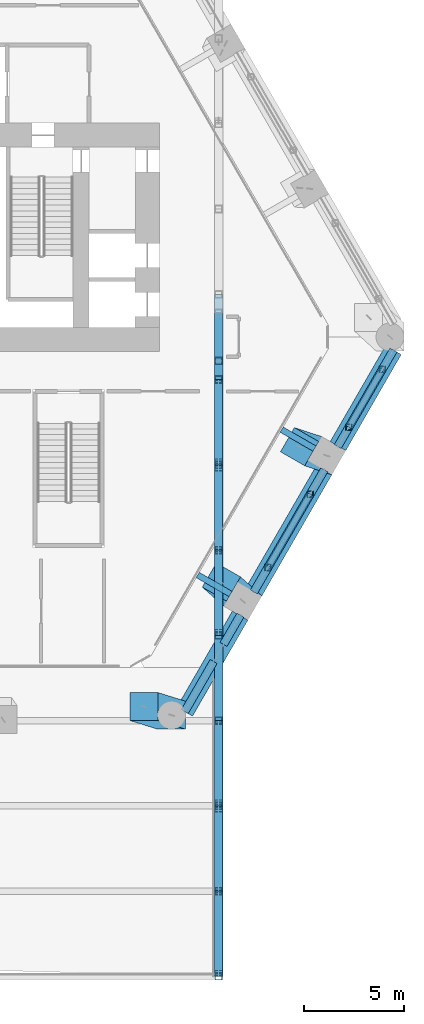
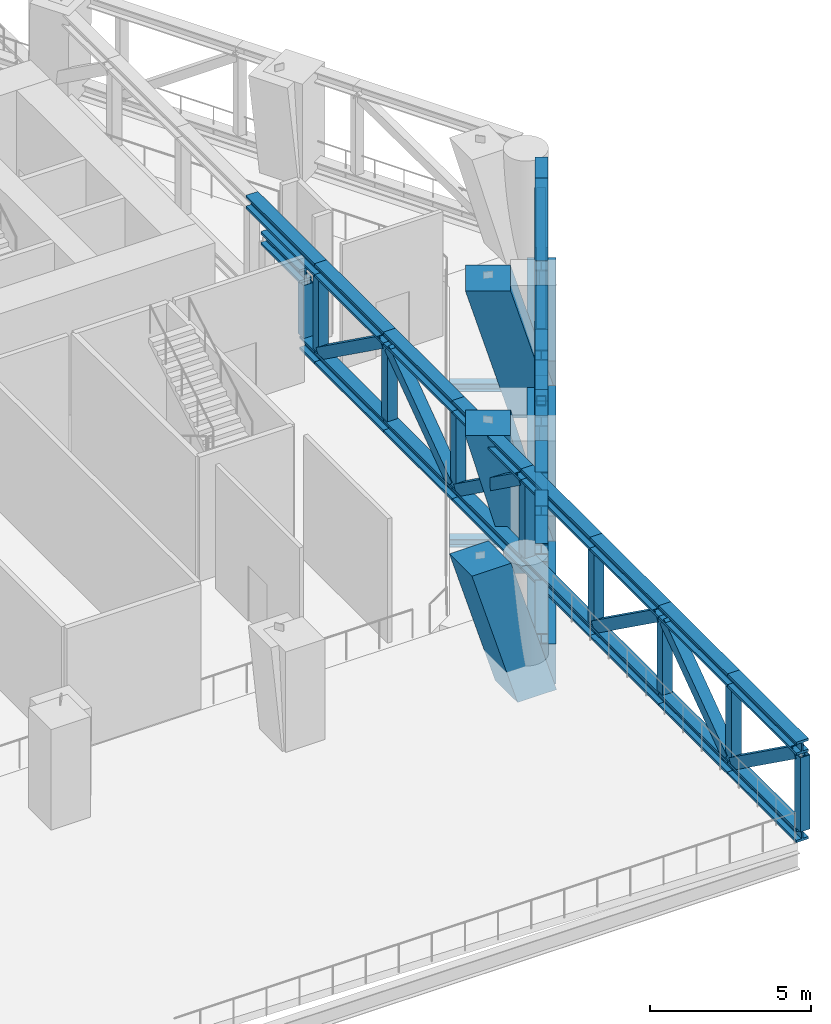
# One storey, part 4 of 20: 53 members, 5 beams.
"""IFC4 building model written with IfcOpenShell, lengths in metres."""

from ifc_helpers import new_model, si_unit, direction, frame, origin, origin_2d, place, context, subcontext, project, spatial, rectangle, hollow_rectangle, i_section, extrude, material, material_profile, profile_set, type_object, element, save


model = new_model("IFC4")

# Units and contexts
model_context = context("Model", 3, precision=1e-05, world=origin(), true_north=direction((0.0, 1.0)))
body_context = subcontext(model_context, "Body", "Model", "MODEL_VIEW")
ifc_project = project(units=[si_unit("LENGTHUNIT", "METRE"), si_unit("AREAUNIT", "SQUARE_METRE"), si_unit("VOLUMEUNIT", "CUBIC_METRE"), si_unit("PLANEANGLEUNIT", "RADIAN"), si_unit("MASSUNIT", "GRAM", prefix="KILO")], contexts=[model_context])

# Site, building, storey
site_placement = place(None, origin())
site = spatial("IfcSite", under=ifc_project, at=site_placement, CompositionType="ELEMENT")
building_placement = place(site_placement, origin())
building = spatial("IfcBuilding", under=site, at=building_placement, Name="Ostrander Bayou Hotel Tower", CompositionType="ELEMENT")
storey_placement = place(building_placement, frame((0.0, 0.0, 80.5)))
storey = spatial("IfcBuildingStorey", under=building, at=storey_placement, Name="L20", CompositionType="ELEMENT", Elevation=80.5)

# Members
ifc_material_1 = material(Name="Steel ASTM A992", Category="steel")
ifc_material_profile_1 = material_profile(ifc_material_1, i_section(OverallWidth=0.403564453125, OverallDepth=0.407470703125, WebThickness=0.027099609375, FlangeThickness=0.043701171875, at=origin_2d()))
ifc_profile_set_1 = profile_set([ifc_material_profile_1], Name="Steel ASTM A992")
member_type_1 = type_object("IfcMemberType", Name="BT1 belt truss chord W14x233", PredefinedType="CHORD", material=ifc_profile_set_1)
member_1_placement = place(storey_placement, frame((13.272216796875, -19.712158203125, 0.20361328125), z_axis=(0.499968328965, 0.866043688293, 0.0), x_axis=(-0.866043688293, 0.499968328965, 0.0)))
element("IfcMember", 1, at=member_1_placement, inside=storey, type_object=member_type_1, Name="BT1 L20 SE-1B1", PredefinedType="CHORD", context=body_context, shape_type="SweptSolid", body=[
    extrude(i_section(OverallWidth=0.403564453125, OverallDepth=0.407470703125, WebThickness=0.027099609375, FlangeThickness=0.043701171875, at=origin_2d()), origin(), (0.0, 0.0, 1.0), 2.893798828125),
])
member_2_placement = place(storey_placement, frame((15.2109375, -16.353759765625, 0.20361328125), z_axis=(0.500034746016, 0.866005342234, 0.0), x_axis=(-0.866005342234, 0.500034746016, 0.0)))
element("IfcMember", 2, at=member_2_placement, inside=storey, type_object=member_type_1, Name="BT1 L20 SE-1B2", PredefinedType="CHORD", context=body_context, shape_type="SweptSolid", body=[
    extrude(i_section(OverallWidth=0.403564453125, OverallDepth=0.407470703125, WebThickness=0.027099609375, FlangeThickness=0.043701171875, at=origin_2d()), origin(), (0.0, 0.0, 1.0), 1.69189453125),
])
member_3_placement = place(storey_placement, frame((13.272216796875, -19.712158203125, 3.59619140625), z_axis=(0.499968328965, 0.866043688293, 0.0), x_axis=(-0.866043688293, 0.499968328965, 0.0)))
element("IfcMember", 3, at=member_3_placement, inside=storey, type_object=member_type_1, Name="BT1 L20 SE-1T1", PredefinedType="CHORD", context=body_context, shape_type="SweptSolid", body=[
    extrude(i_section(OverallWidth=0.403564453125, OverallDepth=0.407470703125, WebThickness=0.027099609375, FlangeThickness=0.043701171875, at=origin_2d()), origin(), (0.0, 0.0, 1.0), 2.893798828125),
])
member_4_placement = place(storey_placement, frame((15.2109375, -16.353759765625, 3.59619140625), z_axis=(0.500034746016, 0.866005342234, 0.0), x_axis=(-0.866005342234, 0.500034746016, 0.0)))
element("IfcMember", 4, at=member_4_placement, inside=storey, type_object=member_type_1, Name="BT1 L20 SE-1T2", PredefinedType="CHORD", context=body_context, shape_type="SweptSolid", body=[
    extrude(i_section(OverallWidth=0.403564453125, OverallDepth=0.407470703125, WebThickness=0.027099609375, FlangeThickness=0.043701171875, at=origin_2d()), origin(), (0.0, 0.0, 1.0), 1.69189453125),
])
member_5_placement = place(storey_placement, frame((16.726806640625, -13.72802734375, 0.20361328125), z_axis=(0.500025918537, 0.866010439193, 0.0), x_axis=(-0.866010439193, 0.500025918537, 0.0)))
element("IfcMember", 5, at=member_5_placement, inside=storey, type_object=member_type_1, Name="BT1 L20 SE-2B1", PredefinedType="CHORD", context=body_context, shape_type="SweptSolid", body=[
    extrude(i_section(OverallWidth=0.403564453125, OverallDepth=0.407470703125, WebThickness=0.027099609375, FlangeThickness=0.043701171875, at=origin_2d()), origin(), (0.0, 0.0, 1.0), 5.640869140625),
])
member_6_placement = place(storey_placement, frame((19.54736328125, -8.843017578125, 0.20361328125), z_axis=(0.499882334327, 0.866093327435, 0.0), x_axis=(-0.866093327435, 0.499882334327, 0.0)))
element("IfcMember", 6, at=member_6_placement, inside=storey, type_object=member_type_1, Name="BT1 L20 SE-2B2", PredefinedType="CHORD", context=body_context, shape_type="SweptSolid", body=[
    extrude(i_section(OverallWidth=0.403564453125, OverallDepth=0.407470703125, WebThickness=0.027099609375, FlangeThickness=0.043701171875, at=origin_2d()), origin(), (0.0, 0.0, 1.0), 1.409912109375),
])
member_7_placement = place(storey_placement, frame((16.726806640625, -13.72802734375, 3.59619140625), z_axis=(0.500012199891, 0.86601836006, 0.0), x_axis=(-0.86601836006, 0.500012199891, 0.0)))
element("IfcMember", 7, at=member_7_placement, inside=storey, type_object=member_type_1, Name="BT1 L20 SE-2T1", PredefinedType="CHORD", context=body_context, shape_type="SweptSolid", body=[
    extrude(i_section(OverallWidth=0.403564453125, OverallDepth=0.407470703125, WebThickness=0.027099609375, FlangeThickness=0.043701171875, at=origin_2d()), origin(), (0.0, 0.0, 1.0), 1.41015625),
])
member_8_placement = place(storey_placement, frame((17.431884765625, -12.5068359375, 3.59619140625), z_axis=(0.499993457821, 0.866029180881, 0.0), x_axis=(-0.866029180881, 0.499993457821, 0.0)))
element("IfcMember", 8, at=member_8_placement, inside=storey, type_object=member_type_1, Name="BT1 L20 SE-2T2", PredefinedType="CHORD", context=body_context, shape_type="SweptSolid", body=[
    extrude(i_section(OverallWidth=0.403564453125, OverallDepth=0.407470703125, WebThickness=0.027099609375, FlangeThickness=0.043701171875, at=origin_2d()), origin(), (0.0, 0.0, 1.0), 5.640625),
])
member_9_placement = place(storey_placement, frame((20.92236328125, -6.46142578125, 0.20361328125), z_axis=(0.499886869675, 0.866090709757, 0.0), x_axis=(-0.866090709757, 0.499886869675, 0.0)))
element("IfcMember", 9, at=member_9_placement, inside=storey, type_object=member_type_1, Name="BT1 L20 SE-3B1", PredefinedType="CHORD", context=body_context, shape_type="SweptSolid", body=[
    extrude(i_section(OverallWidth=0.403564453125, OverallDepth=0.407470703125, WebThickness=0.027099609375, FlangeThickness=0.043701171875, at=origin_2d()), origin(), (0.0, 0.0, 1.0), 1.114013671875),
])
for number, where, z_axis, x_axis, name in (
    (10, (21.479248046875, -5.49658203125, 0.20361328125), (0.500040230979, 0.866002175172, 0.0), (-0.866002175172, 0.500040230979, 0.0), "BT1 L20 SE-3B2"),
    (11, (20.92236328125, -6.46142578125, 3.59619140625), (0.500016504612, 0.866015874633, 0.0), (-0.866015874633, 0.500016504612, 0.0), "BT1 L20 SE-3T1"),
):
    element("IfcMember", number, at=place(storey_placement, frame(where, z_axis=z_axis, x_axis=x_axis)), inside=storey, type_object=member_type_1, Name=name, PredefinedType="CHORD", context=body_context, shape_type="SweptSolid", body=[
        extrude(i_section(OverallWidth=0.403564453125, OverallDepth=0.407470703125, WebThickness=0.027099609375, FlangeThickness=0.043701171875, at=origin_2d()), origin(), (0.0, 0.0, 1.0), 4.455810546875),
    ])
member_10_placement = place(storey_placement, frame((23.150390625, -2.6025390625, 3.59619140625), z_axis=(0.499981766188, 0.866035930824, 0.0), x_axis=(-0.866035930824, 0.499981766188, 0.0)))
element("IfcMember", 12, at=member_10_placement, inside=storey, type_object=member_type_1, Name="BT1 L20 SE-3T2", PredefinedType="CHORD", context=body_context, shape_type="SweptSolid", body=[
    extrude(i_section(OverallWidth=0.403564453125, OverallDepth=0.407470703125, WebThickness=0.027099609375, FlangeThickness=0.043701171875, at=origin_2d()), origin(), (0.0, 0.0, 1.0), 1.11376953125),
])
ifc_material_2 = material(Name="Steel ASTM A572 Gr 50", Category="steel")
ifc_material_profile_2 = material_profile(ifc_material_2, hollow_rectangle(XDim=0.3046875, YDim=0.3046875, WallThickness=0.017822265625, at=origin_2d()))
ifc_profile_set_2 = profile_set([ifc_material_profile_2], Name="Steel ASTM A572 Gr 50")
member_type_2 = type_object("IfcMemberType", Name="BT2 belt truss diagonal box 12 x 12 x 3/4", PredefinedType="BRACE", material=ifc_profile_set_2)
member_11_placement = place(storey_placement, frame((19.54736328125, -8.843017578125, 0.407470703125), z_axis=(-0.408566541898, -0.707600472506, 0.5765196893), x_axis=(0.866007799064, -0.50003049103, 0.0)))
element("IfcMember", 13, at=member_11_placement, inside=storey, type_object=member_type_2, Name="BT2 L20 SE-2D", PredefinedType="BRACE", context=body_context, shape_type="SweptSolid", body=[
    extrude(hollow_rectangle(XDim=0.3046875, YDim=0.3046875, WallThickness=0.017822265625, at=origin_2d()), origin(), (0.0, 0.0, 1.0), 5.177734375),
])
member_12_placement = place(storey_placement, frame((21.479248046875, -5.49658203125, 0.407470703125), z_axis=(0.372942367432, 0.645852275169, 0.666174773789), x_axis=(-0.865990923945, 0.500059716079, 0.0)))
element("IfcMember", 14, at=member_12_placement, inside=storey, type_object=member_type_2, Name="BT2 L20 SE-3D", PredefinedType="BRACE", context=body_context, shape_type="SweptSolid", body=[
    extrude(hollow_rectangle(XDim=0.3046875, YDim=0.3046875, WallThickness=0.017822265625, at=origin_2d()), origin(), (0.0, 0.0, 1.0), 4.48095703125),
])
ifc_material_3 = material(Name="Steel ASTM A500 Gr C", Category="steel")
ifc_material_profile_3 = material_profile(ifc_material_3, hollow_rectangle(XDim=0.3046875, YDim=0.3046875, WallThickness=0.0146484375, at=origin_2d()))
ifc_profile_set_3 = profile_set([ifc_material_profile_3], Name="Steel ASTM A500 Gr C")
member_type_3 = type_object("IfcMemberType", Name="BT7 belt truss vertical HSS12x12x5/8", PredefinedType="POST", material=ifc_profile_set_3)
for number, where, z_axis, x_axis, name in (
    (15, (17.431884765625, -12.5068359375, 0.407470703125), (0.0, 0.0, 1.0), (1.0, 0.0, 0.0), "BT7 L20 SE-2V1"),
    (16, (19.54736328125, -8.843017578125, 0.407470703125), (0.0, 0.0, 1.0), (1.0, 0.0, 0.0), "BT7 L20 SE-2V2"),
    (17, (21.479248046875, -5.49658203125, 0.407470703125), (0.0, 0.0, 1.0), (1.0, 0.0, 0.0), "BT7 L20 SE-3V1"),
    (18, (23.150390625, -2.6025390625, 0.407470703125), (0.0, 0.0, 1.0), (1.0, 0.0, 0.0), "BT7 L20 SE-3V2"),
):
    element("IfcMember", number, at=place(storey_placement, frame(where, z_axis=z_axis, x_axis=x_axis)), inside=storey, type_object=member_type_3, Name=name, PredefinedType="POST", context=body_context, shape_type="SweptSolid", body=[
        extrude(hollow_rectangle(XDim=0.3046875, YDim=0.3046875, WallThickness=0.0146484375, at=origin_2d()), origin(), (0.0, 0.0, 1.0), 2.985107421875),
    ])
ifc_material_4 = material(Name="Concrete f'c 70 MPa", Category="concrete")
ifc_material_profile_4 = material_profile(ifc_material_4, rectangle(XDim=1.39990234375, YDim=1.39990234375, at=origin_2d()))
ifc_profile_set_4 = profile_set([ifc_material_profile_4], Name="Concrete f'c 70 MPa")
member_type_4 = type_object("IfcMemberType", Name="KC1 kinked column 1400 x 1400 mm f'c 70 MPa", PredefinedType="STRUT", material=ifc_profile_set_4)
member_13_placement = place(storey_placement, frame((12.617431640625, -19.890380859375, -1.199951171875), z_axis=(0.0, 0.0, 1.0), x_axis=(1.0, 0.0, 0.0)))
element("IfcMember", 19, at=member_13_placement, inside=storey, type_object=member_type_4, Name="KC1 L20 K3", PredefinedType="STRUT", context=body_context, shape_type="SweptSolid", body=[
    extrude(rectangle(XDim=1.39990234375, YDim=1.39990234375, at=origin_2d()), origin(), (-0.265638365139, 0.082918190248, 0.960500303328), 5.20556640625),
])
member_14_placement = place(storey_placement, frame((16.17529296875, -14.183349609375, -1.199951171875), z_axis=(0.0, 0.0, 1.0), x_axis=(-0.5, -0.866025403784, 0.0)))
element("IfcMember", 20, at=member_14_placement, inside=storey, type_object=member_type_4, Name="KC1 L20 SE1", PredefinedType="STRUT", context=body_context, shape_type="SweptSolid", body=[
    extrude(rectangle(XDim=1.39990234375, YDim=1.39990234375, at=origin_2d()), origin(), (-0.055525305196, -0.269174568113, 0.96148946555), 5.2001953125),
])
member_15_placement = place(storey_placement, frame((20.370849609375, -6.916748046875, -1.199951171875), z_axis=(0.0, 0.0, 1.0), x_axis=(-0.5, -0.866025403784, 0.0)))
element("IfcMember", 21, at=member_15_placement, inside=storey, type_object=member_type_4, Name="KC1 L20 SE2", PredefinedType="STRUT", context=body_context, shape_type="SweptSolid", body=[
    extrude(rectangle(XDim=1.39990234375, YDim=1.39990234375, at=origin_2d()), origin(), (0.055511391563, -0.269196894872, 0.961484018171), 5.2001953125),
])

# Beams
ifc_material_5 = material(Name="Steel ASTM A992", Category="steel")
ifc_material_profile_5 = material_profile(ifc_material_5, i_section(OverallWidth=0.3046875, OverallDepth=0.307861328125, WebThickness=0.010009765625, FlangeThickness=0.015380859375, at=origin_2d()))
ifc_profile_set_5 = profile_set([ifc_material_profile_5], Name="Steel ASTM A992")
beam_type_1 = type_object("IfcBeamType", Name="LB1 loggia bracket W12x65", PredefinedType="BEAM", material=ifc_profile_set_5)
beam_1_placement = place(storey_placement, frame((15.569091796875, -13.833251953125, -0.453857421875), z_axis=(-0.86601224135, 0.500022797313, 0.0), x_axis=(-0.500022797313, -0.86601224135, 0.0)))
element("IfcBeam", 22, at=beam_1_placement, inside=storey, type_object=beam_type_1, Name="LB1 L20 SE1", PredefinedType="BEAM", context=body_context, shape_type="SweptSolid", body=[
    extrude(i_section(OverallWidth=0.3046875, OverallDepth=0.307861328125, WebThickness=0.010009765625, FlangeThickness=0.015380859375, at=origin_2d()), origin(), (0.0, 0.0, 1.0), 1.89990234375),
])
beam_2_placement = place(storey_placement, frame((19.7646484375, -6.566650390625, -0.453857421875), z_axis=(-0.866044365799, 0.499967155389, 0.0), x_axis=(-0.499967155389, -0.866044365799, 0.0)))
element("IfcBeam", 23, at=beam_2_placement, inside=storey, type_object=beam_type_1, Name="LB1 L20 SE2", PredefinedType="BEAM", context=body_context, shape_type="SweptSolid", body=[
    extrude(i_section(OverallWidth=0.3046875, OverallDepth=0.307861328125, WebThickness=0.010009765625, FlangeThickness=0.015380859375, at=origin_2d()), origin(), (0.0, 0.0, 1.0), 1.900146484375),
])
ifc_material_6 = material(Name="Concrete f'c 70 MPa", Category="concrete")
ifc_material_profile_6 = material_profile(ifc_material_6, rectangle(XDim=0.89990234375, YDim=1.5, at=origin_2d()))
ifc_profile_set_6 = profile_set([ifc_material_profile_6], Name="Concrete f'c 70 MPa")
beam_type_2 = type_object("IfcBeamType", Name="SPB1 belt spandrel beam 900 x 1500 mm f'c 70 MPa", PredefinedType="SPANDREL", material=ifc_profile_set_6)
beam_3_placement = place(storey_placement, frame((13.272216796875, -19.712158203125, -0.75), z_axis=(0.499976681983, 0.866038866029, 0.0), x_axis=(-0.866038866029, 0.499976681983, 0.0)))
element("IfcBeam", 24, at=beam_3_placement, inside=storey, type_object=beam_type_2, Name="SP1 L20 SE-1", PredefinedType="SPANDREL", context=body_context, shape_type="SweptSolid", body=[
    extrude(rectangle(XDim=0.89990234375, YDim=1.5, at=origin_2d()), origin(), (0.0, 0.0, 1.0), 5.569580078125),
])
beam_4_placement = place(storey_placement, frame((16.726806640625, -13.72802734375, -0.75), z_axis=(0.499997206141, 0.866027016814, 0.0), x_axis=(-0.866027016814, 0.499997206141, 0.0)))
element("IfcBeam", 25, at=beam_4_placement, inside=storey, type_object=beam_type_2, Name="SP1 L20 SE-2", PredefinedType="SPANDREL", context=body_context, shape_type="SweptSolid", body=[
    extrude(rectangle(XDim=0.89990234375, YDim=1.5, at=origin_2d()), origin(), (0.0, 0.0, 1.0), 7.05078125),
])
beam_5_placement = place(storey_placement, frame((20.92236328125, -6.46142578125, -0.75), z_axis=(0.500009557824, 0.866019885502, 0.0), x_axis=(-0.866019885502, 0.500009557824, 0.0)))
element("IfcBeam", 26, at=beam_5_placement, inside=storey, type_object=beam_type_2, Name="SP1 L20 SE-3", PredefinedType="SPANDREL", context=body_context, shape_type="SweptSolid", body=[
    extrude(rectangle(XDim=0.89990234375, YDim=1.5, at=origin_2d()), origin(), (0.0, 0.0, 1.0), 5.56982421875),
])

# Members
ifc_material_7 = material(Name="Steel ASTM A992", Category="steel")
ifc_material_profile_7 = material_profile(ifc_material_7, i_section(OverallWidth=0.43212890625, OverallDepth=0.497802734375, WebThickness=0.0556640625, FlangeThickness=0.0888671875, at=origin_2d()))
ifc_profile_set_7 = profile_set([ifc_material_profile_7], Name="Steel ASTM A992")
member_type_5 = type_object("IfcMemberType", Name="TT1 through-truss chord W14x500", PredefinedType="CHORD", material=ifc_profile_set_7)
member_16_placement = place(storey_placement, frame((14.965087890625, 0.218017578125, 2.748779296875), z_axis=(0.0, -1.0, 0.0), x_axis=(1.0, 0.0, 0.0)))
element("IfcMember", 27, at=member_16_placement, inside=storey, type_object=member_type_5, Name="TT1 SB1B B8 (over the passage)", PredefinedType="CHORD", context=body_context, shape_type="SweptSolid", body=[
    extrude(i_section(OverallWidth=0.43212890625, OverallDepth=0.497802734375, WebThickness=0.0556640625, FlangeThickness=0.0888671875, at=origin_2d()), origin(), (0.0, 0.0, 1.0), 2.39990234375),
])
member_17_placement = place(storey_placement, frame((14.965087890625, -2.181884765625, 0.248779296875), z_axis=(0.0, -1.0, 0.0), x_axis=(1.0, 0.0, 0.0)))
element("IfcMember", 28, at=member_17_placement, inside=storey, type_object=member_type_5, Name="TT1 SB1B B8", PredefinedType="CHORD", context=body_context, shape_type="SweptSolid", body=[
    extrude(i_section(OverallWidth=0.43212890625, OverallDepth=0.497802734375, WebThickness=0.0556640625, FlangeThickness=0.0888671875, at=origin_2d()), origin(), (0.0, 0.0, 1.0), 0.93115234375),
])
for number, where, z_axis, x_axis, name in (
    (29, (14.965087890625, 1.1494140625, 3.551025390625), (0.0, -1.0, 0.0), (1.0, 0.0, 0.0), "TT1 SB1B T8"),
    (30, (14.965087890625, -3.113037109375, 0.248779296875), (0.0, -1.0, 0.0), (1.0, 0.0, 0.0), "TT1 SB1B B9"),
    (31, (14.965087890625, -3.113037109375, 3.551025390625), (0.0, -1.0, 0.0), (1.0, 0.0, 0.0), "TT1 SB1B T9"),
    (32, (14.965087890625, -7.37548828125, 0.248779296875), (0.0, -1.0, 0.0), (1.0, 0.0, 0.0), "TT1 SB1B B10"),
    (33, (14.965087890625, -7.37548828125, 3.551025390625), (0.0, -1.0, 0.0), (1.0, 0.0, 0.0), "TT1 SB1B T10"),
    (34, (14.965087890625, -11.637939453125, 0.248779296875), (0.0, -1.0, 0.0), (1.0, 0.0, 0.0), "TT1 SB1B B11"),
    (35, (14.965087890625, -11.637939453125, 3.551025390625), (0.0, -1.0, 0.0), (1.0, 0.0, 0.0), "TT1 SB1B T11"),
    (36, (14.965087890625, -15.900390625, 0.248779296875), (0.0, -1.0, 0.0), (1.0, 0.0, 0.0), "TT1 SB1B B12"),
    (37, (14.965087890625, -15.900390625, 3.551025390625), (0.0, -1.0, 0.0), (1.0, 0.0, 0.0), "TT1 SB1B T12"),
    (38, (14.965087890625, -20.162841796875, 0.248779296875), (0.0, -1.0, 0.0), (1.0, 0.0, 0.0), "TT1 SB1B B13"),
    (39, (14.965087890625, -20.162841796875, 3.551025390625), (0.0, -1.0, 0.0), (1.0, 0.0, 0.0), "TT1 SB1B T13"),
):
    element("IfcMember", number, at=place(storey_placement, frame(where, z_axis=z_axis, x_axis=x_axis)), inside=storey, type_object=member_type_5, Name=name, PredefinedType="CHORD", context=body_context, shape_type="SweptSolid", body=[
        extrude(i_section(OverallWidth=0.43212890625, OverallDepth=0.497802734375, WebThickness=0.0556640625, FlangeThickness=0.0888671875, at=origin_2d()), origin(), (0.0, 0.0, 1.0), 4.262451171875),
    ])
for number, where, z_axis, x_axis, name in (
    (40, (14.965087890625, -24.42529296875, 0.248779296875), (0.0, -1.0, 0.0), (1.0, 0.0, 0.0), "TT1 SB1B B14"),
    (41, (14.965087890625, -24.42529296875, 3.551025390625), (0.0, -1.0, 0.0), (1.0, 0.0, 0.0), "TT1 SB1B T14"),
):
    element("IfcMember", number, at=place(storey_placement, frame(where, z_axis=z_axis, x_axis=x_axis)), inside=storey, type_object=member_type_5, Name=name, PredefinedType="CHORD", context=body_context, shape_type="SweptSolid", body=[
        extrude(i_section(OverallWidth=0.43212890625, OverallDepth=0.497802734375, WebThickness=0.0556640625, FlangeThickness=0.0888671875, at=origin_2d()), origin(), (0.0, 0.0, 1.0), 4.26220703125),
    ])
for number, where, z_axis, x_axis, name in (
    (42, (14.965087890625, -28.6875, 0.248779296875), (0.0, -1.0, 0.0), (1.0, 0.0, 0.0), "TT1 SB1B B15"),
    (43, (14.965087890625, -28.6875, 3.551025390625), (0.0, -1.0, 0.0), (1.0, 0.0, 0.0), "TT1 SB1B T15"),
):
    element("IfcMember", number, at=place(storey_placement, frame(where, z_axis=z_axis, x_axis=x_axis)), inside=storey, type_object=member_type_5, Name=name, PredefinedType="CHORD", context=body_context, shape_type="SweptSolid", body=[
        extrude(i_section(OverallWidth=0.43212890625, OverallDepth=0.497802734375, WebThickness=0.0556640625, FlangeThickness=0.0888671875, at=origin_2d()), origin(), (0.0, 0.0, 1.0), 4.262451171875),
    ])
ifc_material_8 = material(Name="Steel ASTM A500 Gr C", Category="steel")
ifc_material_profile_8 = material_profile(ifc_material_8, hollow_rectangle(XDim=0.355712890625, YDim=0.355712890625, WallThickness=0.0146484375, at=origin_2d()))
ifc_profile_set_8 = profile_set([ifc_material_profile_8], Name="Steel ASTM A500 Gr C")
member_type_6 = type_object("IfcMemberType", Name="TT2 through-truss post HSS14x14x5/8", PredefinedType="POST", material=ifc_profile_set_8)
for number, where, z_axis, x_axis, name in (
    (44, (14.965087890625, -3.113037109375, 0.497802734375), (0.0, 0.0, 1.0), (1.0, 0.0, 0.0), "TT2 SB1B P9"),
    (45, (14.965087890625, -7.37548828125, 0.497802734375), (0.0, 0.0, 1.0), (1.0, 0.0, 0.0), "TT2 SB1B P10"),
    (46, (14.965087890625, -11.637939453125, 0.497802734375), (0.0, 0.0, 1.0), (1.0, 0.0, 0.0), "TT2 SB1B P11"),
    (47, (14.965087890625, -15.900390625, 0.497802734375), (0.0, 0.0, 1.0), (1.0, 0.0, 0.0), "TT2 SB1B P12"),
    (48, (14.965087890625, -20.162841796875, 0.497802734375), (0.0, 0.0, 1.0), (1.0, 0.0, 0.0), "TT2 SB1B P13"),
    (49, (14.965087890625, -24.42529296875, 0.497802734375), (0.0, 0.0, 1.0), (1.0, 0.0, 0.0), "TT2 SB1B P14"),
    (50, (14.965087890625, -28.6875, 0.497802734375), (0.0, 0.0, 1.0), (1.0, 0.0, 0.0), "TT2 SB1B P15"),
    (51, (14.965087890625, -32.949951171875, 0.497802734375), (0.0, 0.0, 1.0), (1.0, 0.0, 0.0), "TT2 SB1B P16"),
):
    element("IfcMember", number, at=place(storey_placement, frame(where, z_axis=z_axis, x_axis=x_axis)), inside=storey, type_object=member_type_6, Name=name, PredefinedType="POST", context=body_context, shape_type="SweptSolid", body=[
        extrude(hollow_rectangle(XDim=0.355712890625, YDim=0.355712890625, WallThickness=0.0146484375, at=origin_2d()), origin(), (0.0, 0.0, 1.0), 2.804443359375),
    ])
member_18_placement = place(storey_placement, frame((14.965087890625, -2.181884765625, 0.497802734375), z_axis=(0.0, 0.0, 1.0), x_axis=(1.0, 0.0, 0.0)))
element("IfcMember", 52, at=member_18_placement, inside=storey, type_object=member_type_6, Name="TT2 SB1B KN8b", PredefinedType="POST", context=body_context, shape_type="SweptSolid", body=[
    extrude(hollow_rectangle(XDim=0.355712890625, YDim=0.355712890625, WallThickness=0.0146484375, at=origin_2d()), origin(), (0.0, 0.0, 1.0), 2.002197265625),
])
ifc_material_9 = material(Name="Steel ASTM A572 Gr 50", Category="steel")
ifc_material_profile_9 = material_profile(ifc_material_9, hollow_rectangle(XDim=0.406494140625, YDim=0.406494140625, WallThickness=0.017822265625, at=origin_2d()))
ifc_profile_set_9 = profile_set([ifc_material_profile_9], Name="Steel ASTM A572 Gr 50")
member_type_7 = type_object("IfcMemberType", Name="TT3 through-truss diagonal box 16 x 16 x 3/4", PredefinedType="BRACE", material=ifc_profile_set_9)
member_19_placement = place(storey_placement, frame((14.965087890625, -3.291015625, 0.497802734375), z_axis=(0.0, -0.812362582887, 0.583152667768), x_axis=(1.0, 0.0, 0.0)))
element("IfcMember", 53, at=member_19_placement, inside=storey, type_object=member_type_7, Name="TT3 SB1B D9", PredefinedType="BRACE", context=body_context, shape_type="SweptSolid", body=[
    extrude(hollow_rectangle(XDim=0.406494140625, YDim=0.406494140625, WallThickness=0.017822265625, at=origin_2d()), origin(), (0.0, 0.0, 1.0), 4.80908203125),
])
member_20_placement = place(storey_placement, frame((14.965087890625, -11.460205078125, 0.497802734375), z_axis=(0.0, 0.81237984577, 0.583128618906), x_axis=(-1.0, 0.0, 0.0)))
element("IfcMember", 54, at=member_20_placement, inside=storey, type_object=member_type_7, Name="TT3 SB1B D10", PredefinedType="BRACE", context=body_context, shape_type="SweptSolid", body=[
    extrude(hollow_rectangle(XDim=0.406494140625, YDim=0.406494140625, WallThickness=0.017822265625, at=origin_2d()), origin(), (0.0, 0.0, 1.0), 4.809326171875),
])
for number, where, z_axis, x_axis, name in (
    (55, (14.965087890625, -11.815673828125, 0.497802734375), (0.0, -0.812362582887, 0.583152667768), (1.0, 0.0, 0.0), "TT3 SB1B D11"),
    (56, (14.965087890625, -20.340576171875, 0.497802734375), (0.0, -0.812362582887, 0.583152667768), (1.0, 0.0, 0.0), "TT3 SB1B D13"),
    (57, (14.965087890625, -28.509765625, 0.497802734375), (0.0, 0.812362582887, 0.583152667768), (-1.0, 0.0, 0.0), "TT3 SB1B D14"),
    (58, (14.965087890625, -28.865478515625, 0.497802734375), (0.0, -0.812362582887, 0.583152667768), (1.0, 0.0, 0.0), "TT3 SB1B D15"),
):
    element("IfcMember", number, at=place(storey_placement, frame(where, z_axis=z_axis, x_axis=x_axis)), inside=storey, type_object=member_type_7, Name=name, PredefinedType="BRACE", context=body_context, shape_type="SweptSolid", body=[
        extrude(hollow_rectangle(XDim=0.406494140625, YDim=0.406494140625, WallThickness=0.017822265625, at=origin_2d()), origin(), (0.0, 0.0, 1.0), 4.80908203125),
    ])

save(model, "model.ifc")
